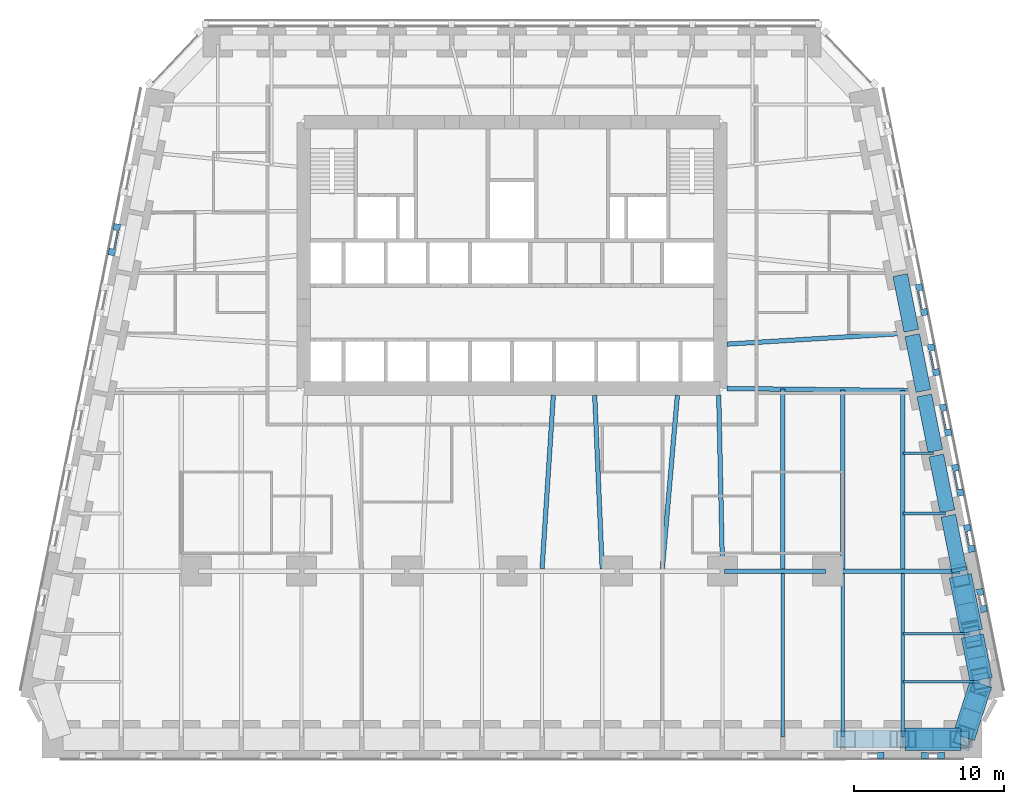
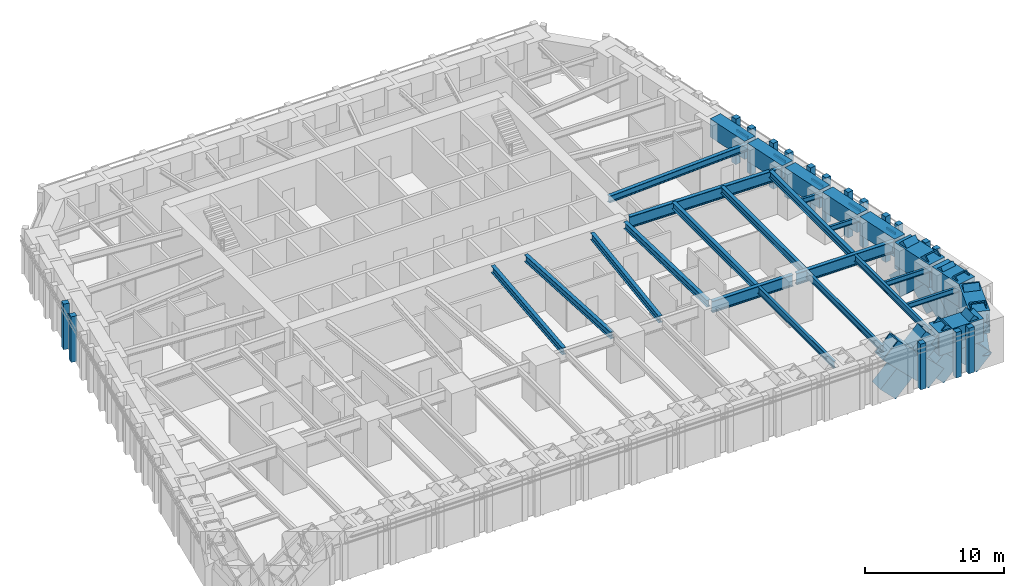
# One storey, part 3 of 16: 33 members, 27 beams, 9 elements without a shape of their own.
"""IFC4 building model written with IfcOpenShell, lengths in metres."""

from ifc_helpers import new_model, si_unit, direction, frame, origin, origin_2d, place, context, subcontext, project, spatial, rectangle, hollow_rectangle, i_section, extrude, material, material_profile, profile_set, type_object, element, aggregate, save


model = new_model("IFC4")

# Units and contexts
model_context = context("Model", 3, precision=1e-05, world=origin(), true_north=direction((0.0, 1.0)))
body_context = subcontext(model_context, "Body", "Model", "MODEL_VIEW")
ifc_project = project(units=[si_unit("LENGTHUNIT", "METRE"), si_unit("AREAUNIT", "SQUARE_METRE"), si_unit("VOLUMEUNIT", "CUBIC_METRE"), si_unit("PLANEANGLEUNIT", "RADIAN"), si_unit("MASSUNIT", "GRAM", prefix="KILO")], contexts=[model_context])

# Site, building, storey
site_placement = place(None, origin())
site = spatial("IfcSite", under=ifc_project, at=site_placement, CompositionType="ELEMENT")
building_placement = place(site_placement, origin())
building = spatial("IfcBuilding", under=site, at=building_placement, Name="Isbrekke Arena Tower", CompositionType="ELEMENT")
storey_placement = place(building_placement, frame((0.0, 0.0, 36.0)))
storey = spatial("IfcBuildingStorey", under=building, at=storey_placement, Name="L06", CompositionType="ELEMENT", Elevation=36.0)

# Beams
ifc_material_1 = material(Name="Steel S355", Category="steel")
ifc_material_profile_1 = material_profile(ifc_material_1, i_section(OverallWidth=0.219970703125, OverallDepth=0.60009765625, WebThickness=0.011962890625, FlangeThickness=0.01904296875, FilletRadius=0.02392578125, at=origin_2d()), Name="IPE 600")
ifc_profile_set_1 = profile_set([ifc_material_profile_1], Name="Steel S355")
beam_type_1 = type_object("IfcBeamType", Name="B1 IPE 600", PredefinedType="BEAM", material=ifc_profile_set_1)
for number, where, z_axis, x_axis, name in (
    (1, (18.0, -17.02490234375, 3.550048828125), (0.0, 1.0, 0.0), (-1.0, 0.0, 0.0), "B1 beam S-S13 L06"),
    (2, (22.0, -17.02490234375, 3.550048828125), (0.0, 1.0, 0.0), (-1.0, 0.0, 0.0), "B1 beam S-S14 L06"),
    (3, (26.0, -17.02490234375, 3.550048828125), (0.0, 1.0, 0.0), (-1.0, 0.0, 0.0), "B1 beam S-S15 L06"),
):
    element("IfcBeam", number, at=place(storey_placement, frame(where, z_axis=z_axis, x_axis=x_axis)), inside=storey, type_object=beam_type_1, Name=name, PredefinedType="BEAM", context=body_context, shape_type="SweptSolid", body=[
        extrude(i_section(OverallWidth=0.219970703125, OverallDepth=0.60009765625, WebThickness=0.011962890625, FlangeThickness=0.01904296875, FilletRadius=0.02392578125, at=origin_2d()), origin(), (0.0, 0.0, 1.0), 10.8740234375),
    ])
ifc_material_2 = material(Name="Steel S355", Category="steel")
ifc_material_profile_2 = material_profile(ifc_material_2, i_section(OverallWidth=0.18994140625, OverallDepth=0.449951171875, WebThickness=0.009521484375, FlangeThickness=0.0146484375, FilletRadius=0.02099609375, at=origin_2d()), Name="IPE 450")
ifc_profile_set_2 = profile_set([ifc_material_profile_2], Name="Steel S355")
beam_type_2 = type_object("IfcBeamType", Name="B2 IPE 450", PredefinedType="BEAM", material=ifc_profile_set_2)
beam_1_placement = place(storey_placement, frame((31.079345703125, -13.352783203125, 3.625), z_axis=(-1.0, 0.0, 0.0), x_axis=(0.0, -1.0, 0.0)))
element("IfcBeam", 4, at=beam_1_placement, inside=storey, type_object=beam_type_2, Name="B2 beam E-E01 L06", PredefinedType="BEAM", context=body_context, shape_type="SweptSolid", body=[
    extrude(i_section(OverallWidth=0.18994140625, OverallDepth=0.449951171875, WebThickness=0.009521484375, FlangeThickness=0.0146484375, FilletRadius=0.02099609375, at=origin_2d()), origin(), (0.0, 0.0, 1.0), 5.079345703125),
])
beam_2_placement = place(storey_placement, frame((30.44091796875, -10.161865234375, 3.625), z_axis=(-1.0, 0.0, 0.0), x_axis=(0.0, -1.0, 0.0)))
element("IfcBeam", 5, at=beam_2_placement, inside=storey, type_object=beam_type_2, Name="B2 beam E-E02 L06", PredefinedType="BEAM", context=body_context, shape_type="SweptSolid", body=[
    extrude(i_section(OverallWidth=0.18994140625, OverallDepth=0.449951171875, WebThickness=0.009521484375, FlangeThickness=0.0146484375, FilletRadius=0.02099609375, at=origin_2d()), origin(), (0.0, 0.0, 1.0), 4.44091796875),
])
beam_3_placement = place(storey_placement, frame((28.841064453125, -2.161865234375, 3.625), z_axis=(-1.0, 0.0, 0.0), x_axis=(0.0, -1.0, 0.0)))
element("IfcBeam", 6, at=beam_3_placement, inside=storey, type_object=beam_type_2, Name="B2 beam E-E04 L06", PredefinedType="BEAM", context=body_context, shape_type="SweptSolid", body=[
    extrude(i_section(OverallWidth=0.18994140625, OverallDepth=0.449951171875, WebThickness=0.009521484375, FlangeThickness=0.0146484375, FilletRadius=0.02099609375, at=origin_2d()), origin(), (0.0, 0.0, 1.0), 2.841064453125),
])
beam_4_placement = place(storey_placement, frame((28.041015625, 1.838134765625, 3.625), z_axis=(-1.0, 0.0, 0.0), x_axis=(0.0, -1.0, 0.0)))
element("IfcBeam", 7, at=beam_4_placement, inside=storey, type_object=beam_type_2, Name="B2 beam E-E05 L06", PredefinedType="BEAM", context=body_context, shape_type="SweptSolid", body=[
    extrude(i_section(OverallWidth=0.18994140625, OverallDepth=0.449951171875, WebThickness=0.009521484375, FlangeThickness=0.0146484375, FilletRadius=0.02099609375, at=origin_2d()), origin(), (0.0, 0.0, 1.0), 2.041015625),
])
ifc_material_3 = material(Name="Steel S355", Category="steel")
ifc_material_profile_3 = material_profile(ifc_material_3, i_section(OverallWidth=0.300048828125, OverallDepth=0.60009765625, WebThickness=0.015380859375, FlangeThickness=0.030029296875, FilletRadius=0.027099609375, at=origin_2d()), Name="HEB 600")
ifc_profile_set_3 = profile_set([ifc_material_profile_3], Name="Steel S355")
beam_type_3 = type_object("IfcBeamType", Name="B7 HEB 600", PredefinedType="BEAM", material=ifc_profile_set_3)
beam_5_placement = place(storey_placement, frame((2.000732421875, -5.83935546875, 3.550048828125), z_axis=(0.064795318476, 0.997898575359, 0.0), x_axis=(-0.997898575359, 0.064795318476, 0.0)))
element("IfcBeam", 8, at=beam_5_placement, inside=storey, type_object=beam_type_3, Name="B7 beam C-M08 L06", PredefinedType="BEAM", context=body_context, shape_type="SweptSolid", body=[
    extrude(i_section(OverallWidth=0.300048828125, OverallDepth=0.60009765625, WebThickness=0.015380859375, FlangeThickness=0.030029296875, FilletRadius=0.027099609375, at=origin_2d()), origin(), (0.0, 0.0, 1.0), 11.563720703125),
])
beam_6_placement = place(storey_placement, frame((5.999755859375, -5.842529296875, 3.550048828125), z_axis=(-0.04325656756, 0.99906399663, 0.0), x_axis=(-0.99906399663, -0.04325656756, 0.0)))
element("IfcBeam", 9, at=beam_6_placement, inside=storey, type_object=beam_type_3, Name="B7 beam C-M09 L06", PredefinedType="BEAM", context=body_context, shape_type="SweptSolid", body=[
    extrude(i_section(OverallWidth=0.300048828125, OverallDepth=0.60009765625, WebThickness=0.015380859375, FlangeThickness=0.030029296875, FilletRadius=0.027099609375, at=origin_2d()), origin(), (0.0, 0.0, 1.0), 11.55322265625),
])
beam_7_placement = place(storey_placement, frame((10.001220703125, -5.836181640625, 3.550048828125), z_axis=(0.086255671377, 0.996273034442, 0.0), x_axis=(-0.996273034442, 0.086255671377, 0.0)))
element("IfcBeam", 10, at=beam_7_placement, inside=storey, type_object=beam_type_3, Name="B7 beam C-M10 L06", PredefinedType="BEAM", context=body_context, shape_type="SweptSolid", body=[
    extrude(i_section(OverallWidth=0.300048828125, OverallDepth=0.60009765625, WebThickness=0.015380859375, FlangeThickness=0.030029296875, FilletRadius=0.027099609375, at=origin_2d()), origin(), (0.0, 0.0, 1.0), 11.579345703125),
])
beam_8_placement = place(storey_placement, frame((14.0, -5.8466796875, 3.550048828125), z_axis=(-0.021646264273, 0.999765692171, 0.0), x_axis=(-0.999765692171, -0.021646264273, 0.0)))
element("IfcBeam", 11, at=beam_8_placement, inside=storey, type_object=beam_type_3, Name="B7 beam C-M11 L06", PredefinedType="BEAM", context=body_context, shape_type="SweptSolid", body=[
    extrude(i_section(OverallWidth=0.300048828125, OverallDepth=0.60009765625, WebThickness=0.015380859375, FlangeThickness=0.030029296875, FilletRadius=0.027099609375, at=origin_2d()), origin(), (0.0, 0.0, 1.0), 11.54931640625),
])
beam_9_placement = place(storey_placement, frame((18.0, -5.84912109375, 3.550048828125), z_axis=(0.0, 1.0, 0.0), x_axis=(-1.0, 0.0, 0.0)))
element("IfcBeam", 12, at=beam_9_placement, inside=storey, type_object=beam_type_3, Name="B7 beam C-M12 L06", PredefinedType="BEAM", context=body_context, shape_type="SweptSolid", body=[
    extrude(i_section(OverallWidth=0.300048828125, OverallDepth=0.60009765625, WebThickness=0.015380859375, FlangeThickness=0.030029296875, FilletRadius=0.027099609375, at=origin_2d()), origin(), (0.0, 0.0, 1.0), 11.956787109375),
])
beam_10_placement = place(storey_placement, frame((22.0, -5.84912109375, 3.550048828125), z_axis=(0.0, 1.0, 0.0), x_axis=(-1.0, 0.0, 0.0)))
element("IfcBeam", 13, at=beam_10_placement, inside=storey, type_object=beam_type_3, Name="B7 beam C-M13 L06", PredefinedType="BEAM", context=body_context, shape_type="SweptSolid", body=[
    extrude(i_section(OverallWidth=0.300048828125, OverallDepth=0.60009765625, WebThickness=0.015380859375, FlangeThickness=0.030029296875, FilletRadius=0.027099609375, at=origin_2d()), origin(), (0.0, 0.0, 1.0), 11.910888671875),
])
beam_11_placement = place(storey_placement, frame((26.0, -5.84912109375, 3.550048828125), z_axis=(0.0, 1.0, 0.0), x_axis=(-1.0, 0.0, 0.0)))
element("IfcBeam", 14, at=beam_11_placement, inside=storey, type_object=beam_type_3, Name="B7 beam C-M14 L06", PredefinedType="BEAM", context=body_context, shape_type="SweptSolid", body=[
    extrude(i_section(OverallWidth=0.300048828125, OverallDepth=0.60009765625, WebThickness=0.015380859375, FlangeThickness=0.030029296875, FilletRadius=0.027099609375, at=origin_2d()), origin(), (0.0, 0.0, 1.0), 11.864990234375),
])
beam_12_placement = place(storey_placement, frame((26.431884765625, 9.837646484375, 3.550048828125), z_axis=(-0.998157121592, -0.060682457223, 0.0), x_axis=(0.060682457223, -0.998157121592, 0.0)))
element("IfcBeam", 15, at=beam_12_placement, inside=storey, type_object=beam_type_3, Name="B7 beam E-E07 L06", PredefinedType="BEAM", context=body_context, shape_type="SweptSolid", body=[
    extrude(i_section(OverallWidth=0.300048828125, OverallDepth=0.60009765625, WebThickness=0.015380859375, FlangeThickness=0.030029296875, FilletRadius=0.027099609375, at=origin_2d()), origin(), (0.0, 0.0, 1.0), 12.154296875),
])

# Curtain wall, member
ifc_material_4 = material(Name="Glazed aluminium curtain wall", Category="aluminium")
curtain_wall_type = type_object("IfcCurtainWallType", Name="CWL TOWER CURTAIN WALL LOW ZONE", PredefinedType="USERDEFINED", material=ifc_material_4)
curtain_wall_1_placement = place(storey_placement, origin())
curtain_wall_1 = element("IfcCurtainWall", 16, at=curtain_wall_1_placement, inside=storey, type_object=curtain_wall_type, Name="CWL curtain wall L06-S27", ObjectType="TOWER CURTAIN WALL LOW ZONE", PredefinedType="USERDEFINED")
ifc_material_5 = material(Name="Aluminium mullion, pale brick slip cladding", Category="masonry")
ifc_material_profile_4 = material_profile(ifc_material_5, rectangle(XDim=0.449951171875, YDim=0.449951171875, at=origin_2d()), Name="PIER 450X450")
ifc_profile_set_4 = profile_set([ifc_material_profile_4], Name="Aluminium mullion, pale brick slip cladding")
member_type_1 = type_object("IfcMemberType", Name="CWL-M PIER MULLION 450 x 450", PredefinedType="MULLION", material=ifc_profile_set_4)
member_1_placement = place(storey_placement, frame((24.52490234375, -18.25, 0.0), z_axis=(0.0, 0.0, 1.0), x_axis=(1.0, 0.0, 0.0)))
member_1 = element("IfcMember", 17, at=member_1_placement, type_object=member_type_1, Name="CWL-M mullion 2", PredefinedType="MULLION", context=body_context, shape_type="SweptSolid", body=[
    extrude(rectangle(XDim=0.449951171875, YDim=0.449951171875, at=origin_2d()), origin(), (0.0, 0.0, 1.0), 4.0),
])
aggregate(curtain_wall_1, [member_1])

# Curtain wall, members
curtain_wall_2_placement = place(storey_placement, origin())
curtain_wall_2 = element("IfcCurtainWall", 18, at=curtain_wall_2_placement, inside=storey, type_object=curtain_wall_type, Name="CWL curtain wall L06-S29", ObjectType="TOWER CURTAIN WALL LOW ZONE", PredefinedType="USERDEFINED")
member_2_placement = place(storey_placement, frame((27.47509765625, -18.25, 0.0), z_axis=(0.0, 0.0, 1.0), x_axis=(1.0, 0.0, 0.0)))
member_2 = element("IfcMember", 19, at=member_2_placement, type_object=member_type_1, Name="CWL-M mullion 1", PredefinedType="MULLION", context=body_context, shape_type="SweptSolid", body=[
    extrude(rectangle(XDim=0.449951171875, YDim=0.449951171875, at=origin_2d()), origin(), (0.0, 0.0, 1.0), 4.0),
])
member_3_placement = place(storey_placement, frame((28.527099609375, -18.25, 0.0), z_axis=(0.0, 0.0, 1.0), x_axis=(1.0, 0.0, 0.0)))
member_3 = element("IfcMember", 20, at=member_3_placement, type_object=member_type_1, Name="CWL-M mullion 2", PredefinedType="MULLION", context=body_context, shape_type="SweptSolid", body=[
    extrude(rectangle(XDim=0.449951171875, YDim=0.449951171875, at=origin_2d()), origin(), (0.0, 0.0, 1.0), 4.0),
])
aggregate(curtain_wall_2, [member_2, member_3])

curtain_wall_3_placement = place(storey_placement, origin())
curtain_wall_3 = element("IfcCurtainWall", 21, at=curtain_wall_3_placement, inside=storey, type_object=curtain_wall_type, Name="CWL curtain wall L06-E3", ObjectType="TOWER CURTAIN WALL LOW ZONE", PredefinedType="USERDEFINED")
member_4_placement = place(storey_placement, frame((31.35595703125, -8.504638671875, 0.0), z_axis=(0.0, 0.0, 1.0), x_axis=(-0.196116135138, 0.980580675691, 0.0)))
member_4 = element("IfcMember", 22, at=member_4_placement, type_object=member_type_1, Name="CWL-M mullion 1", PredefinedType="MULLION", context=body_context, shape_type="SweptSolid", body=[
    extrude(rectangle(XDim=0.449951171875, YDim=0.449951171875, at=origin_2d()), origin(), (0.0, 0.0, 1.0), 4.0),
])
member_5_placement = place(storey_placement, frame((31.134521484375, -7.397216796875, 0.0), z_axis=(0.0, 0.0, 1.0), x_axis=(-0.196116135138, 0.980580675691, 0.0)))
member_5 = element("IfcMember", 23, at=member_5_placement, type_object=member_type_1, Name="CWL-M mullion 2", PredefinedType="MULLION", context=body_context, shape_type="SweptSolid", body=[
    extrude(rectangle(XDim=0.449951171875, YDim=0.449951171875, at=origin_2d()), origin(), (0.0, 0.0, 1.0), 4.0),
])
aggregate(curtain_wall_3, [member_4, member_5])

curtain_wall_4_placement = place(storey_placement, origin())
curtain_wall_4 = element("IfcCurtainWall", 24, at=curtain_wall_4_placement, inside=storey, type_object=curtain_wall_type, Name="CWL curtain wall L06-E5", ObjectType="TOWER CURTAIN WALL LOW ZONE", PredefinedType="USERDEFINED")
member_6_placement = place(storey_placement, frame((30.555908203125, -4.504638671875, 0.0), z_axis=(0.0, 0.0, 1.0), x_axis=(-0.196116135138, 0.980580675691, 0.0)))
member_6 = element("IfcMember", 25, at=member_6_placement, type_object=member_type_1, Name="CWL-M mullion 1", PredefinedType="MULLION", context=body_context, shape_type="SweptSolid", body=[
    extrude(rectangle(XDim=0.449951171875, YDim=0.449951171875, at=origin_2d()), origin(), (0.0, 0.0, 1.0), 4.0),
])
member_7_placement = place(storey_placement, frame((30.280517578125, -3.127685546875, 0.0), z_axis=(0.0, 0.0, 1.0), x_axis=(-0.196116135138, 0.980580675691, 0.0)))
member_7 = element("IfcMember", 26, at=member_7_placement, type_object=member_type_1, Name="CWL-M mullion 2", PredefinedType="MULLION", context=body_context, shape_type="SweptSolid", body=[
    extrude(rectangle(XDim=0.449951171875, YDim=0.449951171875, at=origin_2d()), origin(), (0.0, 0.0, 1.0), 4.0),
])

curtain_wall_5_placement = place(storey_placement, origin())
curtain_wall_5 = element("IfcCurtainWall", 27, at=curtain_wall_5_placement, inside=storey, type_object=curtain_wall_type, Name="CWL curtain wall L06-E7", ObjectType="TOWER CURTAIN WALL LOW ZONE", PredefinedType="USERDEFINED")
member_8_placement = place(storey_placement, frame((29.809814453125, -0.774169921875, 0.0), z_axis=(0.0, 0.0, 1.0), x_axis=(-0.196116135138, 0.980580675691, 0.0)))
member_8 = element("IfcMember", 28, at=member_8_placement, type_object=member_type_1, Name="CWL-M mullion 1", PredefinedType="MULLION", context=body_context, shape_type="SweptSolid", body=[
    extrude(rectangle(XDim=0.449951171875, YDim=0.449951171875, at=origin_2d()), origin(), (0.0, 0.0, 1.0), 4.0),
])
member_9_placement = place(storey_placement, frame((29.48046875, 0.872314453125, 0.0), z_axis=(0.0, 0.0, 1.0), x_axis=(-0.196116135138, 0.980580675691, 0.0)))
member_9 = element("IfcMember", 29, at=member_9_placement, type_object=member_type_1, Name="CWL-M mullion 2", PredefinedType="MULLION", context=body_context, shape_type="SweptSolid", body=[
    extrude(rectangle(XDim=0.449951171875, YDim=0.449951171875, at=origin_2d()), origin(), (0.0, 0.0, 1.0), 4.0),
])

curtain_wall_6_placement = place(storey_placement, origin())
curtain_wall_6 = element("IfcCurtainWall", 30, at=curtain_wall_6_placement, inside=storey, type_object=curtain_wall_type, Name="CWL curtain wall L06-E9", ObjectType="TOWER CURTAIN WALL LOW ZONE", PredefinedType="USERDEFINED")
member_10_placement = place(storey_placement, frame((29.009765625, 3.225830078125, 0.0), z_axis=(0.0, 0.0, 1.0), x_axis=(-0.196116135138, 0.980580675691, 0.0)))
member_10 = element("IfcMember", 31, at=member_10_placement, type_object=member_type_1, Name="CWL-M mullion 1", PredefinedType="MULLION", context=body_context, shape_type="SweptSolid", body=[
    extrude(rectangle(XDim=0.449951171875, YDim=0.449951171875, at=origin_2d()), origin(), (0.0, 0.0, 1.0), 4.0),
])
member_11_placement = place(storey_placement, frame((28.680419921875, 4.872314453125, 0.0), z_axis=(0.0, 0.0, 1.0), x_axis=(-0.196116135138, 0.980580675691, 0.0)))
member_11 = element("IfcMember", 32, at=member_11_placement, type_object=member_type_1, Name="CWL-M mullion 2", PredefinedType="MULLION", context=body_context, shape_type="SweptSolid", body=[
    extrude(rectangle(XDim=0.449951171875, YDim=0.449951171875, at=origin_2d()), origin(), (0.0, 0.0, 1.0), 4.0),
])

curtain_wall_7_placement = place(storey_placement, origin())
curtain_wall_7 = element("IfcCurtainWall", 33, at=curtain_wall_7_placement, inside=storey, type_object=curtain_wall_type, Name="CWL curtain wall L06-E11", ObjectType="TOWER CURTAIN WALL LOW ZONE", PredefinedType="USERDEFINED")
member_12_placement = place(storey_placement, frame((28.209716796875, 7.225830078125, 0.0), z_axis=(0.0, 0.0, 1.0), x_axis=(-0.196116135138, 0.980580675691, 0.0)))
member_12 = element("IfcMember", 34, at=member_12_placement, type_object=member_type_1, Name="CWL-M mullion 1", PredefinedType="MULLION", context=body_context, shape_type="SweptSolid", body=[
    extrude(rectangle(XDim=0.449951171875, YDim=0.449951171875, at=origin_2d()), origin(), (0.0, 0.0, 1.0), 4.0),
])
member_13_placement = place(storey_placement, frame((27.88037109375, 8.872314453125, 0.0), z_axis=(0.0, 0.0, 1.0), x_axis=(-0.196116135138, 0.980580675691, 0.0)))
member_13 = element("IfcMember", 35, at=member_13_placement, type_object=member_type_1, Name="CWL-M mullion 2", PredefinedType="MULLION", context=body_context, shape_type="SweptSolid", body=[
    extrude(rectangle(XDim=0.449951171875, YDim=0.449951171875, at=origin_2d()), origin(), (0.0, 0.0, 1.0), 4.0),
])

curtain_wall_8_placement = place(storey_placement, origin())
curtain_wall_8 = element("IfcCurtainWall", 36, at=curtain_wall_8_placement, inside=storey, type_object=curtain_wall_type, Name="CWL curtain wall L06-E13", ObjectType="TOWER CURTAIN WALL LOW ZONE", PredefinedType="USERDEFINED")
member_14_placement = place(storey_placement, frame((27.409912109375, 11.225830078125, 0.0), z_axis=(0.0, 0.0, 1.0), x_axis=(-0.196116135138, 0.980580675691, 0.0)))
member_14 = element("IfcMember", 37, at=member_14_placement, type_object=member_type_1, Name="CWL-M mullion 1", PredefinedType="MULLION", context=body_context, shape_type="SweptSolid", body=[
    extrude(rectangle(XDim=0.449951171875, YDim=0.449951171875, at=origin_2d()), origin(), (0.0, 0.0, 1.0), 4.0),
])
member_15_placement = place(storey_placement, frame((27.08056640625, 12.872314453125, 0.0), z_axis=(0.0, 0.0, 1.0), x_axis=(-0.196116135138, 0.980580675691, 0.0)))
member_15 = element("IfcMember", 38, at=member_15_placement, type_object=member_type_1, Name="CWL-M mullion 2", PredefinedType="MULLION", context=body_context, shape_type="SweptSolid", body=[
    extrude(rectangle(XDim=0.449951171875, YDim=0.449951171875, at=origin_2d()), origin(), (0.0, 0.0, 1.0), 4.0),
])

curtain_wall_9_placement = place(storey_placement, origin())
curtain_wall_9 = element("IfcCurtainWall", 39, at=curtain_wall_9_placement, inside=storey, type_object=curtain_wall_type, Name="CWL curtain wall L06-W5", ObjectType="TOWER CURTAIN WALL LOW ZONE", PredefinedType="USERDEFINED")
member_16_placement = place(storey_placement, frame((-26.280517578125, 16.872314453125, 0.0), z_axis=(0.0, 0.0, 1.0), x_axis=(-0.196116135138, -0.980580675691, 0.0)))
member_16 = element("IfcMember", 40, at=member_16_placement, type_object=member_type_1, Name="CWL-M mullion 1", PredefinedType="MULLION", context=body_context, shape_type="SweptSolid", body=[
    extrude(rectangle(XDim=0.449951171875, YDim=0.449951171875, at=origin_2d()), origin(), (0.0, 0.0, 1.0), 4.0),
])
member_17_placement = place(storey_placement, frame((-26.60986328125, 15.225830078125, 0.0), z_axis=(0.0, 0.0, 1.0), x_axis=(-0.196116135138, -0.980580675691, 0.0)))
member_17 = element("IfcMember", 41, at=member_17_placement, type_object=member_type_1, Name="CWL-M mullion 2", PredefinedType="MULLION", context=body_context, shape_type="SweptSolid", body=[
    extrude(rectangle(XDim=0.449951171875, YDim=0.449951171875, at=origin_2d()), origin(), (0.0, 0.0, 1.0), 4.0),
])

# Member
ifc_material_6 = material(Name="Aluminium transom", Category="aluminium")
ifc_material_profile_5 = material_profile(ifc_material_6, rectangle(XDim=0.1201171875, YDim=0.199951171875, at=origin_2d()), Name="TRANSOM 120X200")
ifc_profile_set_5 = profile_set([ifc_material_profile_5], Name="Aluminium transom")
member_type_2 = type_object("IfcMemberType", Name="CWL-T TRANSOM 120 x 200", PredefinedType="USERDEFINED", material=ifc_profile_set_5)
member_18_placement = place(storey_placement, frame((30.38916015625, -4.30859375, 3.0), z_axis=(-0.19596853661, 0.980610183844, 0.0), x_axis=(-0.980610183844, -0.19596853661, 0.0)))
member_18 = element("IfcMember", 42, at=member_18_placement, type_object=member_type_2, Name="CWL-T transom 1", ObjectType="TRANSOM", PredefinedType="USERDEFINED", context=body_context, shape_type="SweptSolid", body=[
    extrude(rectangle(XDim=0.1201171875, YDim=0.199951171875, at=origin_2d()), origin(), (0.0, 0.0, 1.0), 0.954345703125),
])

aggregate(curtain_wall_4, [member_6, member_7, member_18])

member_19_placement = place(storey_placement, frame((29.64306640625, -0.578125, 3.0), z_axis=(-0.196039741533, 0.980595951317, 0.0), x_axis=(-0.980595951317, -0.196039741533, 0.0)))
member_19 = element("IfcMember", 43, at=member_19_placement, type_object=member_type_2, Name="CWL-T transom 1", ObjectType="TRANSOM", PredefinedType="USERDEFINED", context=body_context, shape_type="SweptSolid", body=[
    extrude(rectangle(XDim=0.1201171875, YDim=0.199951171875, at=origin_2d()), origin(), (0.0, 0.0, 1.0), 1.229248046875),
])

aggregate(curtain_wall_5, [member_8, member_9, member_19])

member_20_placement = place(storey_placement, frame((28.843017578125, 3.421875, 3.0), z_axis=(-0.196039741533, 0.980595951317, 0.0), x_axis=(-0.980595951317, -0.196039741533, 0.0)))
member_20 = element("IfcMember", 44, at=member_20_placement, type_object=member_type_2, Name="CWL-T transom 1", ObjectType="TRANSOM", PredefinedType="USERDEFINED", context=body_context, shape_type="SweptSolid", body=[
    extrude(rectangle(XDim=0.1201171875, YDim=0.199951171875, at=origin_2d()), origin(), (0.0, 0.0, 1.0), 1.229248046875),
])

aggregate(curtain_wall_6, [member_10, member_11, member_20])

member_21_placement = place(storey_placement, frame((28.043212890625, 7.421875, 3.0), z_axis=(-0.19623071885, 0.980557751986, 0.0), x_axis=(-0.980557751986, -0.19623071885, 0.0)))
member_21 = element("IfcMember", 45, at=member_21_placement, type_object=member_type_2, Name="CWL-T transom 1", ObjectType="TRANSOM", PredefinedType="USERDEFINED", context=body_context, shape_type="SweptSolid", body=[
    extrude(rectangle(XDim=0.1201171875, YDim=0.199951171875, at=origin_2d()), origin(), (0.0, 0.0, 1.0), 1.229248046875),
])

aggregate(curtain_wall_7, [member_12, member_13, member_21])

member_22_placement = place(storey_placement, frame((27.2431640625, 11.421875, 3.0), z_axis=(-0.19623071885, 0.980557751986, 0.0), x_axis=(-0.980557751986, -0.19623071885, 0.0)))
member_22 = element("IfcMember", 46, at=member_22_placement, type_object=member_type_2, Name="CWL-T transom 1", ObjectType="TRANSOM", PredefinedType="USERDEFINED", context=body_context, shape_type="SweptSolid", body=[
    extrude(rectangle(XDim=0.1201171875, YDim=0.199951171875, at=origin_2d()), origin(), (0.0, 0.0, 1.0), 1.229248046875),
])

aggregate(curtain_wall_8, [member_14, member_15, member_22])

member_23_placement = place(storey_placement, frame((-26.2021484375, 16.627197265625, 3.0), z_axis=(-0.196039741533, -0.980595951317, 0.0), x_axis=(0.980595951317, -0.196039741533, 0.0)))
member_23 = element("IfcMember", 47, at=member_23_placement, type_object=member_type_2, Name="CWL-T transom 1", ObjectType="TRANSOM", PredefinedType="USERDEFINED", context=body_context, shape_type="SweptSolid", body=[
    extrude(rectangle(XDim=0.1201171875, YDim=0.199951171875, at=origin_2d()), origin(), (0.0, 0.0, 1.0), 1.229248046875),
])

aggregate(curtain_wall_9, [member_16, member_17, member_23])

# Beams
ifc_material_7 = material(Name="Steel S355", Category="steel")
ifc_material_profile_6 = material_profile(ifc_material_7, i_section(OverallWidth=0.302001953125, OverallDepth=1.008056640625, WebThickness=0.02099609375, FlangeThickness=0.0400390625, FilletRadius=0.030029296875, at=origin_2d()), Name="HEM 1000")
ifc_profile_set_6 = profile_set([ifc_material_profile_6], Name="Steel S355")
beam_type_4 = type_object("IfcBeamType", Name="G1 HEM 1000", PredefinedType="BEAM", material=ifc_profile_set_6)
beam_13_placement = place(storey_placement, frame((14.14990234375, -6.0, 3.345947265625), z_axis=(1.0, 0.0, 0.0), x_axis=(0.0, 1.0, 0.0)))
element("IfcBeam", 48, at=beam_13_placement, inside=storey, type_object=beam_type_4, Name="G1 beam G1-07 L06", PredefinedType="BEAM", context=body_context, shape_type="SweptSolid", body=[
    extrude(i_section(OverallWidth=0.302001953125, OverallDepth=1.008056640625, WebThickness=0.02099609375, FlangeThickness=0.0400390625, FilletRadius=0.030029296875, at=origin_2d()), origin(), (0.0, 0.0, 1.0), 6.7001953125),
])
beam_14_placement = place(storey_placement, frame((21.14990234375, -6.0, 3.345947265625), z_axis=(1.0, 0.0, 0.0), x_axis=(0.0, 1.0, 0.0)))
element("IfcBeam", 49, at=beam_14_placement, inside=storey, type_object=beam_type_4, Name="G1 beam G1-08 L06", PredefinedType="BEAM", context=body_context, shape_type="SweptSolid", body=[
    extrude(i_section(OverallWidth=0.302001953125, OverallDepth=1.008056640625, WebThickness=0.02099609375, FlangeThickness=0.0400390625, FilletRadius=0.030029296875, at=origin_2d()), origin(), (0.0, 0.0, 1.0), 8.64111328125),
])
ifc_material_8 = material(Name="Steel S355", Category="steel")
ifc_material_profile_7 = material_profile(ifc_material_8, i_section(OverallWidth=0.302001953125, OverallDepth=1.008056640625, WebThickness=0.02099609375, FlangeThickness=0.0400390625, FilletRadius=0.030029296875, at=origin_2d()), Name="HEM 1000")
ifc_profile_set_7 = profile_set([ifc_material_profile_7], Name="Steel S355")
beam_type_5 = type_object("IfcBeamType", Name="G2 HEM 1000", PredefinedType="BEAM", material=ifc_profile_set_7)
beam_15_placement = place(storey_placement, frame((14.300048828125, 6.14990234375, 3.345947265625), z_axis=(0.999934429634, -0.011451481699, 0.0), x_axis=(0.011451481699, 0.999934429634, 0.0)))
element("IfcBeam", 50, at=beam_15_placement, inside=storey, type_object=beam_type_5, Name="G2 beam G2-E L06", PredefinedType="BEAM", context=body_context, shape_type="SweptSolid", body=[
    extrude(i_section(OverallWidth=0.302001953125, OverallDepth=1.008056640625, WebThickness=0.02099609375, FlangeThickness=0.0400390625, FilletRadius=0.030029296875, at=origin_2d()), origin(), (0.0, 0.0, 1.0), 13.09033203125),
])
ifc_material_9 = material(Name="Concrete B90 (C90/105)", Category="concrete")
ifc_material_profile_8 = material_profile(ifc_material_9, rectangle(XDim=1.0, YDim=1.60009765625, at=origin_2d()), Name="RC 1000x1600")
ifc_profile_set_8 = profile_set([ifc_material_profile_8], Name="Concrete B90 (C90/105)")
beam_type_6 = type_object("IfcBeamType", Name="SB1 RC 1000 x 1600", PredefinedType="SPANDREL", material=ifc_profile_set_8)
for number, where, z_axis, x_axis, name in (
    (51, (29.76171875, -6.0146484375, 3.199951171875), (-0.196128558387, 0.980578190959, 0.0), (-0.980578190959, -0.196128558387, 0.0), "SB1 spandrel E03-E04 L06"),
    (52, (28.961669921875, -2.0146484375, 3.199951171875), (-0.196128558387, 0.980578190959, 0.0), (-0.980578190959, -0.196128558387, 0.0), "SB1 spandrel E04-E05 L06"),
    (53, (28.16162109375, 1.9853515625, 3.199951171875), (-0.196128558387, 0.980578190959, 0.0), (-0.980578190959, -0.196128558387, 0.0), "SB1 spandrel E05-E06 L06"),
    (54, (27.361572265625, 5.9853515625, 3.199951171875), (-0.196128558387, 0.980578190959, 0.0), (-0.980578190959, -0.196128558387, 0.0), "SB1 spandrel E06-E07 L06"),
):
    element("IfcBeam", number, at=place(storey_placement, frame(where, z_axis=z_axis, x_axis=x_axis)), inside=storey, type_object=beam_type_6, Name=name, PredefinedType="SPANDREL", context=body_context, shape_type="SweptSolid", body=[
        extrude(rectangle(XDim=1.0, YDim=1.60009765625, at=origin_2d()), origin(), (0.0, 0.0, 1.0), 3.779296875),
    ])
beam_16_placement = place(storey_placement, frame((26.5615234375, 9.9853515625, 3.199951171875), z_axis=(-0.1960664412, 0.980590613169, 0.0), x_axis=(-0.980590613169, -0.1960664412, 0.0)))
element("IfcBeam", 55, at=beam_16_placement, inside=storey, type_object=beam_type_6, Name="SB1 spandrel E07-E08 L06", PredefinedType="SPANDREL", context=body_context, shape_type="SweptSolid", body=[
    extrude(rectangle(XDim=1.0, YDim=1.60009765625, at=origin_2d()), origin(), (0.0, 0.0, 1.0), 3.779052734375),
])
ifc_material_10 = material(Name="Concrete B90 (C90/105)", Category="concrete")
ifc_material_profile_9 = material_profile(ifc_material_10, rectangle(XDim=1.5, YDim=2.0, at=origin_2d()), Name="RC 1500x2000")
ifc_profile_set_9 = profile_set([ifc_material_profile_9], Name="Concrete B90 (C90/105)")
beam_type_7 = type_object("IfcBeamType", Name="SB6 RC 1500 x 2000", PredefinedType="SPANDREL", material=ifc_profile_set_9)
beam_17_placement = place(storey_placement, frame((26.14990234375, -17.175048828125, 3.0), z_axis=(1.0, 0.0, 0.0), x_axis=(0.0, 1.0, 0.0)))
element("IfcBeam", 56, at=beam_17_placement, inside=storey, type_object=beam_type_7, Name="SB6 spandrel S15-S16 L06", PredefinedType="SPANDREL", context=body_context, shape_type="SweptSolid", body=[
    extrude(rectangle(XDim=1.5, YDim=2.0, at=origin_2d()), origin(), (0.0, 0.0, 1.0), 3.7001953125),
])
beam_18_placement = place(storey_placement, frame((30.0458984375, -17.0322265625, 3.0), z_axis=(0.306175101476, 0.951975213562, 0.0), x_axis=(-0.951975213562, 0.306175101476, 0.0)))
element("IfcBeam", 57, at=beam_18_placement, inside=storey, type_object=beam_type_7, Name="SB6 spandrel S16-E01 L06", PredefinedType="SPANDREL", context=body_context, shape_type="SweptSolid", body=[
    extrude(rectangle(XDim=1.5, YDim=2.0, at=origin_2d()), origin(), (0.0, 0.0, 1.0), 3.715087890625),
])
beam_19_placement = place(storey_placement, frame((31.19970703125, -13.205810546875, 3.0), z_axis=(-0.196100243168, 0.980583853951, 0.0), x_axis=(-0.980583853951, -0.196100243168, 0.0)))
element("IfcBeam", 58, at=beam_19_placement, inside=storey, type_object=beam_type_7, Name="SB6 spandrel E01-E02 L06", PredefinedType="SPANDREL", context=body_context, shape_type="SweptSolid", body=[
    extrude(rectangle(XDim=1.5, YDim=2.0, at=origin_2d()), origin(), (0.0, 0.0, 1.0), 2.954345703125),
])
beam_20_placement = place(storey_placement, frame((30.5615234375, -10.0146484375, 3.0), z_axis=(-0.1960664412, 0.980590613169, 0.0), x_axis=(-0.980590613169, -0.1960664412, 0.0)))
element("IfcBeam", 59, at=beam_20_placement, inside=storey, type_object=beam_type_7, Name="SB6 spandrel E02-E03 L06", PredefinedType="SPANDREL", context=body_context, shape_type="SweptSolid", body=[
    extrude(rectangle(XDim=1.5, YDim=2.0, at=origin_2d()), origin(), (0.0, 0.0, 1.0), 3.779052734375),
])

# Members
ifc_material_11 = material(Name="Steel S460", Category="steel")
ifc_material_profile_10 = material_profile(ifc_material_11, hollow_rectangle(XDim=1.199951171875, YDim=1.800048828125, WallThickness=0.090087890625, at=origin_2d()), Name="BOX 1200x1800x90")
ifc_profile_set_10 = profile_set([ifc_material_profile_10], Name="Steel S460")
member_type_3 = type_object("IfcMemberType", Name="TB1 BOX 1200x1800x90", PredefinedType="BRACE", material=ifc_profile_set_10)
for number, where, z_axis, x_axis, name in (
    (60, (22.0, -17.175048828125, 0.0), (0.707106781187, 0.0, 0.707106781187), (0.0, 1.0, 0.0), "TB1 transfer brace S14-S15 L06 A"),
    (61, (22.220703125, -17.175048828125, 3.779296875), (0.707106781187, 0.0, -0.707106781187), (0.0, 1.0, 0.0), "TB1 transfer brace S14-S15 L06 B"),
    (62, (26.0, -17.175048828125, 0.0), (0.707106781187, 0.0, 0.707106781187), (0.0, 1.0, 0.0), "TB1 transfer brace S15-S16 L06 A"),
    (63, (26.220703125, -17.175048828125, 3.779296875), (0.707106781187, 0.0, -0.707106781187), (0.0, 1.0, 0.0), "TB1 transfer brace S15-S16 L06 B"),
):
    element("IfcMember", number, at=place(storey_placement, frame(where, z_axis=z_axis, x_axis=x_axis)), inside=storey, type_object=member_type_3, Name=name, PredefinedType="BRACE", context=body_context, shape_type="SweptSolid", body=[
        extrude(hollow_rectangle(XDim=1.199951171875, YDim=1.800048828125, WallThickness=0.090087890625, at=origin_2d()), origin(), (0.0, 0.0, 1.0), 5.3447265625),
    ])
for number, where, z_axis, x_axis, name in (
    (64, (30.0, -17.175048828125, 0.0), (0.216888895255, 0.67441597421, 0.705777798493), (-0.951982356028, 0.306152892868, 0.0), "TB1 transfer brace S16-E01 L06 A"),
    (65, (30.067626953125, -16.96484375, 3.780029296875), (0.216888895255, 0.67441597421, -0.705777798493), (-0.951982356028, 0.306152892868, 0.0), "TB1 transfer brace S16-E01 L06 B"),
):
    element("IfcMember", number, at=place(storey_placement, frame(where, z_axis=z_axis, x_axis=x_axis)), inside=storey, type_object=member_type_3, Name=name, PredefinedType="BRACE", context=body_context, shape_type="SweptSolid", body=[
        extrude(hollow_rectangle(XDim=1.199951171875, YDim=1.800048828125, WallThickness=0.090087890625, at=origin_2d()), origin(), (0.0, 0.0, 1.0), 5.355712890625),
    ])
for number, where, z_axis, x_axis, name in (
    (66, (31.229248046875, -13.352783203125, 0.0), (-0.123773292261, 0.618815796836, 0.775723650348), (-0.980577587758, -0.196131574168, 0.0), "TB1 transfer brace E01-E02 L06 A"),
    (67, (31.1875, -13.143798828125, 3.738037109375), (-0.123773292261, 0.618815796836, -0.775723650348), (-0.980577587758, -0.196131574168, 0.0), "TB1 transfer brace E01-E02 L06 B"),
):
    element("IfcMember", number, at=place(storey_placement, frame(where, z_axis=z_axis, x_axis=x_axis)), inside=storey, type_object=member_type_3, Name=name, PredefinedType="BRACE", context=body_context, shape_type="SweptSolid", body=[
        extrude(hollow_rectangle(XDim=1.199951171875, YDim=1.800048828125, WallThickness=0.090087890625, at=origin_2d()), origin(), (0.0, 0.0, 1.0), 4.81884765625),
    ])
for number, where, z_axis, x_axis, name in (
    (68, (30.591064453125, -10.161865234375, 0.0), (-0.140028008403, 0.700140042014, 0.700140042014), (-0.980580675691, -0.196116135138, 0.0), "TB1 transfer brace E02-E03 L06 A"),
    (69, (30.547607421875, -9.944580078125, 3.782958984375), (-0.140032438362, 0.700117005481, -0.700162191812), (-0.980578241477, -0.196128305817, 0.0), "TB1 transfer brace E02-E03 L06 B"),
):
    element("IfcMember", number, at=place(storey_placement, frame(where, z_axis=z_axis, x_axis=x_axis)), inside=storey, type_object=member_type_3, Name=name, PredefinedType="BRACE", context=body_context, shape_type="SweptSolid", body=[
        extrude(hollow_rectangle(XDim=1.199951171875, YDim=1.800048828125, WallThickness=0.090087890625, at=origin_2d()), origin(), (0.0, 0.0, 1.0), 5.403076171875),
    ])

save(model, "model.ifc")
